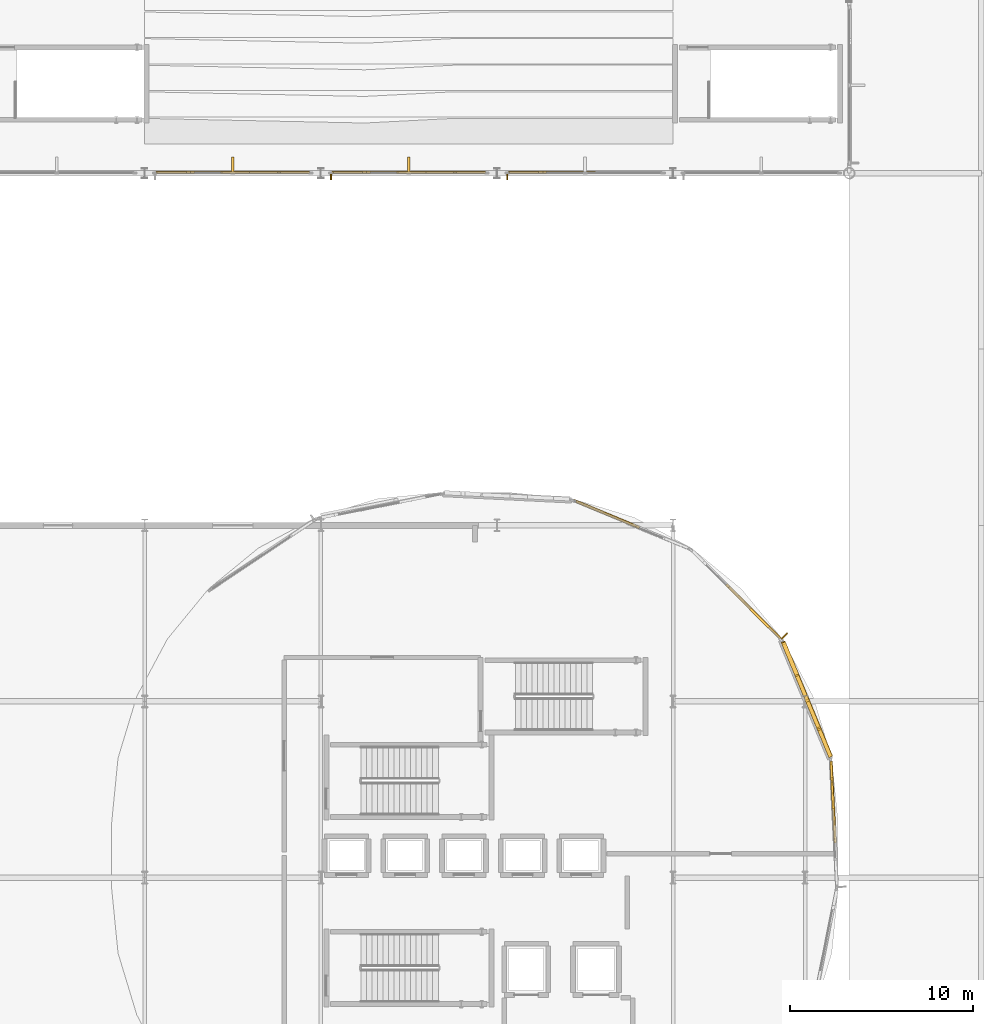
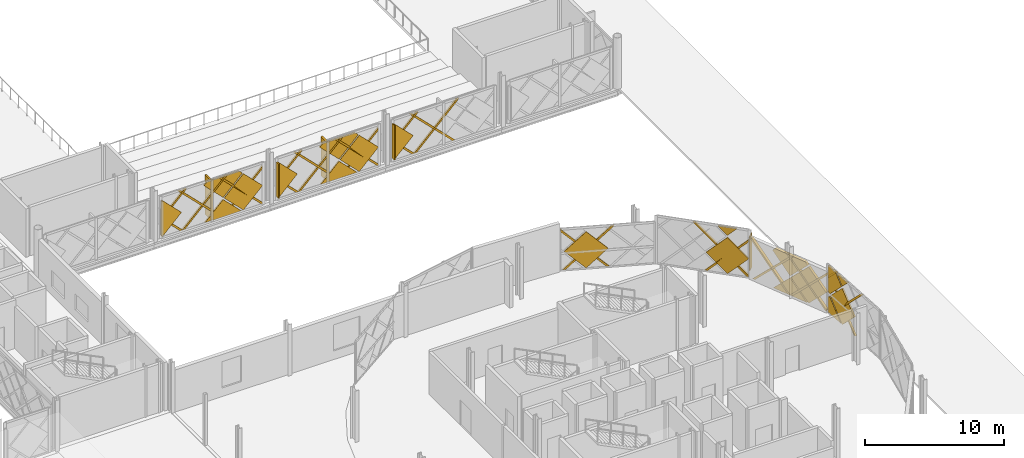
# One storey, part 98 of 101: 48 coverings, 3 shading devices.
"""IFC4 building model written with IfcOpenShell, lengths in metres."""

from ifc_helpers import new_model, si_unit, direction, frame, origin, origin_2d, place, context, subcontext, project, spatial, polyline, rectangle, outline, extrude, material, layer, layer_set, type_object, element, save


model = new_model("IFC4")

# Units and contexts
model_context = context("Model", 3, precision=1e-05, world=origin(), true_north=direction((0.0, 1.0)))
body_context = subcontext(model_context, "Body", "Model", "MODEL_VIEW")
ifc_project = project(units=[si_unit("LENGTHUNIT", "METRE"), si_unit("AREAUNIT", "SQUARE_METRE"), si_unit("VOLUMEUNIT", "CUBIC_METRE"), si_unit("PLANEANGLEUNIT", "RADIAN"), si_unit("MASSUNIT", "GRAM", prefix="KILO")], contexts=[model_context])

# Site, building, storey
site_placement = place(None, origin())
site = spatial("IfcSite", under=ifc_project, at=site_placement, CompositionType="ELEMENT")
building_placement = place(site_placement, origin())
building = spatial("IfcBuilding", under=site, at=building_placement, Name="Zevrakil Square Congress Hotel", CompositionType="ELEMENT")
storey_placement = place(building_placement, frame((0.0, 0.0, 5.39990234375)))
storey = spatial("IfcBuildingStorey", under=building, at=storey_placement, Name="L02", CompositionType="ELEMENT", Elevation=5.39990234375)

# Coverings
ifc_material_1 = material(Name="Architectural White Fibre-C GRC", Category="concrete")
ifc_layer_1 = layer(ifc_material_1, 0.06494140625)
ifc_layer_set_1 = layer_set([ifc_layer_1], Name="Architectural White Fibre-C GRC")
covering_type_1 = type_object("IfcCoveringType", Name="COV-DIA-WHITE", PredefinedType="CLADDING", material=ifc_layer_set_1)
covering_1_placement = place(storey_placement, frame((132.919921875, 64.89404296875, 1.590087890625), z_axis=(0.0, 0.999999790873, 0.000646725815), x_axis=(-0.707106707249, 0.000457304257, -0.707106707249)))
element("IfcCovering", 1, at=covering_1_placement, inside=storey, type_object=covering_type_1, Name="L02 45-degree white GRC diamond facade cassette 1065", PredefinedType="CLADDING", context=body_context, shape_type="SweptSolid", body=[
    extrude(outline(polyline([(0.0, 0.0), (2.1354765131557993, 0.0), (4.465861884739297e-07, -2.1354765131557527), (0.0, 0.0)])), origin(), (0.0, 0.0, -1.0), 0.1201171875),
])
covering_2_placement = place(storey_placement, frame((134.60009765625, 64.89306640625, 3.27001953125), z_axis=(0.0, 0.999999812555, 0.000612282237), x_axis=(-0.707161000838, 0.000432915721, -0.707052424844)))
element("IfcCovering", 2, at=covering_2_placement, inside=storey, type_object=covering_type_1, Name="L02 45-degree white GRC diamond facade cassette 1066", PredefinedType="CLADDING", context=body_context, shape_type="SweptSolid", body=[
    extrude(outline(polyline([(0.0, 0.0), (2.2485514454845923, 0.0), (2.248379222880032, -2.2487240657380214), (0.013983748838055643, -2.248379882955194), (-0.0001711092764935529, -2.234222853853795), (0.0, 0.0)])), origin(), (0.0, 0.0, -1.0), 0.1201171875),
])
covering_3_placement = place(storey_placement, frame((127.8798828125, 64.89501953125, 0.090087890625), z_axis=(4.3911e-08, 0.999999810879, 0.000615014432), x_axis=(0.707106714509, -0.000434911966, 0.707106714116)))
element("IfcCovering", 3, at=covering_3_placement, inside=storey, type_object=covering_type_1, Name="L02 45-degree white GRC diamond facade cassette 1067", PredefinedType="CLADDING", context=body_context, shape_type="SweptSolid", body=[
    extrude(outline(polyline([(0.0, 0.0), (2.2487240723345274, -2.220446049250313e-16), (2.248551862954323, -2.2485514388919943), (2.1639614601190895, -2.2485514548663854), (0.00017263345166069338, -0.0847630362800969), (0.0, 0.0)])), origin(), (0.0, 0.0, -1.0), 0.1201171875),
])
covering_4_placement = place(storey_placement, frame((131.330078125, 64.89306640625, 3.360107421875), z_axis=(0.0, 0.999999832179, 0.000579346068), x_axis=(0.707052455657, 0.000409691004, -0.707160983866)))
element("IfcCovering", 4, at=covering_4_placement, inside=storey, type_object=covering_type_1, Name="L02 45-degree white GRC diamond facade cassette 1068", PredefinedType="CLADDING", context=body_context, shape_type="SweptSolid", body=[
    extrude(outline(polyline([(0.0, 0.0), (2.2485513447832775, -2.220446049250313e-16), (2.248378475325489, -2.2487239649946003), (1.901903001207207, -2.248524784497797), (-2.6675655460328684e-05, -0.346302853878948), (0.0, 0.0)])), origin(), (0.0, 0.0, -1.0), 0.1201171875),
])
covering_5_placement = place(storey_placement, frame((142.52001953125, 64.89404296875, 1.590087890625), z_axis=(0.0, 0.999999790873, 0.000646725815), x_axis=(-0.707106707249, 0.000457304257, -0.707106707249)))
element("IfcCovering", 5, at=covering_5_placement, inside=storey, type_object=covering_type_1, Name="L02 45-degree white GRC diamond facade cassette 1090", PredefinedType="CLADDING", context=body_context, shape_type="SweptSolid", body=[
    extrude(outline(polyline([(0.0, 0.0), (2.1354765131557993, 0.0), (4.465861884739297e-07, -2.1354765131557527), (0.0, 0.0)])), origin(), (0.0, 0.0, -1.0), 0.1201171875),
])
covering_6_placement = place(storey_placement, frame((144.199951171875, 64.89306640625, 3.27001953125), z_axis=(0.0, 0.999999812555, 0.000612281941), x_axis=(-0.707106714489, 0.000432948753, -0.707106715341)))
element("IfcCovering", 6, at=covering_6_placement, inside=storey, type_object=covering_type_1, Name="L02 45-degree white GRC diamond facade cassette 1091", PredefinedType="CLADDING", context=body_context, shape_type="SweptSolid", body=[
    extrude(outline(polyline([(0.0, 0.0), (2.2483788053823686, 2.220446049250313e-16), (2.2485518630143098, -2.2485514388251864), (0.013983735657622232, -2.2485514362281265), (-0.00017220932723183147, -2.23439549391379), (0.0, 0.0)])), origin(), (0.0, 0.0, -1.0), 0.1201171875),
])
covering_7_placement = place(storey_placement, frame((137.47998046875, 64.89501953125, 0.090087890625), z_axis=(4.3898e-08, 0.999999810877, 0.000615017515), x_axis=(0.707106714509, -0.000434914137, 0.707106714115)))
element("IfcCovering", 7, at=covering_7_placement, inside=storey, type_object=covering_type_1, Name="L02 45-degree white GRC diamond facade cassette 1092", PredefinedType="CLADDING", context=body_context, shape_type="SweptSolid", body=[
    extrude(outline(polyline([(0.0, 0.0), (2.2487240723345248, 0.0), (2.2485518629543146, -2.248551438891992), (2.16378882664394, -2.2487240883742428), (-2.3641429092169375e-11, -0.08493566978779551), (0.0, 0.0)])), origin(), (0.0, 0.0, -1.0), 0.1201171875),
])
covering_8_placement = place(storey_placement, frame((140.929931640625, 64.89306640625, 3.360107421875), z_axis=(0.0, 0.999999832181, 0.000579342815), x_axis=(0.707106746172, 0.000409657254, -0.707106697535)))
element("IfcCovering", 8, at=covering_8_placement, inside=storey, type_object=covering_type_1, Name="L02 45-degree white GRC diamond facade cassette 1093", PredefinedType="CLADDING", context=body_context, shape_type="SweptSolid", body=[
    extrude(outline(polyline([(0.0, 0.0), (2.2487239716396576, -2.220446049250313e-16), (2.2487237489345504, -2.248723971639647), (1.9022482605454791, -2.248551391947205), (0.00017254537882177567, -0.3464754884061615), (0.0, 0.0)])), origin(), (0.0, 0.0, -1.0), 0.1201171875),
])
covering_9_placement = place(storey_placement, frame((147.080078125, 64.89501953125, 0.090087890625), z_axis=(4.3905e-08, 0.999999810877, 0.000615017631), x_axis=(0.707052423991, -0.000434947608, 0.707161000444)))
element("IfcCovering", 9, at=covering_9_placement, inside=storey, type_object=covering_type_1, Name="L02 45-degree white GRC diamond facade cassette 1117", PredefinedType="CLADDING", context=body_context, shape_type="SweptSolid", body=[
    extrude(outline(polyline([(0.0, 0.0), (2.2485514454863083, 0.0), (2.2487244898345797, -2.248378798725155), (2.163961467029263, -2.248557955925599), (6.520949064468817e-06, -0.08493566953746919), (0.0, 0.0)])), origin(), (0.0, 0.0, -1.0), 0.1201171875),
])
covering_10_placement = place(storey_placement, frame((164.673583984375, 32.5615234375, 1.590087890625), z_axis=(0.998800095119, 0.048968005369, 0.000710239774), x_axis=(-0.034122335196, 0.706249529221, -0.707140204426)))
element("IfcCovering", 10, at=covering_10_placement, inside=storey, type_object=covering_type_1, Name="L02 45-degree white GRC diamond facade cassette 2008", PredefinedType="CLADDING", context=body_context, shape_type="SweptSolid", body=[
    extrude(outline(polyline([(0.0, 0.0), (0.28448673390348933, 0.0), (1.2101660596970794, -0.9252972339474256), (0.00015848221026493192, -2.135420005266335), (0.0, 0.0)])), origin(), (0.0, 0.0, -1.0), 0.1201171875),
])
covering_11_placement = place(storey_placement, frame((164.75537109375, 30.883544921875, 3.27001953125), z_axis=(0.99878830523, 0.049210092518, 0.000536776824), x_axis=(-0.034419634226, 0.706307668295, -0.707067724117)))
element("IfcCovering", 11, at=covering_11_placement, inside=storey, type_object=covering_type_1, Name="L02 45-degree white GRC diamond facade cassette 2009", PredefinedType="CLADDING", context=body_context, shape_type="SweptSolid", body=[
    extrude(outline(polyline([(0.0, 0.0), (2.248502789491191, 0.0), (2.24836820536573, -2.2487348827231917), (-0.00030720808154449664, -2.2485622397465383), (0.0, 0.0)])), origin(), (0.0, 0.0, -1.0), 0.1201171875),
])
covering_12_placement = place(storey_placement, frame((164.673583984375, 32.5615234375, 1.77001953125), z_axis=(0.998794408136, 0.049085468341, 0.000589130142), x_axis=(0.034291704455, -0.706256907945, 0.707124641761)))
element("IfcCovering", 12, at=covering_12_placement, inside=storey, type_object=covering_type_1, Name="L02 45-degree white GRC diamond facade cassette 2011", PredefinedType="CLADDING", context=body_context, shape_type="SweptSolid", body=[
    extrude(outline(polyline([(0.0, 0.0), (2.248667030414798, 0.0), (2.248686328149325, -1.1314496213816005), (1.5478328586904833, -1.832338683445174), (0.00017637556919647412, -0.2846761841491108), (0.0, 0.0)])), origin(), (0.0, 0.0, -1.0), 0.1201171875),
])
covering_13_placement = place(storey_placement, frame((164.755126953125, 30.883544921875, 3.4501953125), z_axis=(0.99879850131, 0.049002852965, 0.000523624202), x_axis=(0.034282963929, -0.706326313581, 0.707055738345)))
element("IfcCovering", 13, at=covering_13_placement, inside=storey, type_object=covering_type_1, Name="L02 45-degree white GRC diamond facade cassette 2012", PredefinedType="CLADDING", context=body_context, shape_type="SweptSolid", body=[
    extrude(outline(polyline([(0.0, 0.0), (1.004108868646373, -1.1102230246251565e-16), (2.374429571738723e-06, -1.003961821325116), (0.0, 0.0)])), origin(), (0.0, 0.0, -1.0), 0.1201171875),
])
covering_14_placement = place(storey_placement, frame((163.435302734375, 36.026611328125, 1.590087890625), z_axis=(0.923868790517, 0.382708685186, 0.00072124374), x_axis=(-0.270148633985, 0.65347845614, -0.70709661498)))
element("IfcCovering", 14, at=covering_14_placement, inside=storey, type_object=covering_type_1, Name="L02 45-degree white GRC diamond facade cassette 2018", PredefinedType="CLADDING", context=body_context, shape_type="SweptSolid", body=[
    extrude(outline(polyline([(0.0, 0.0), (2.1355069924456442, 0.0), (4.912377958765646e-05, -2.1353975770230837), (0.0, 0.0)])), origin(), (0.0, 0.0, -1.0), 0.2099609375),
])
covering_15_placement = place(storey_placement, frame((164.077392578125, 34.47412109375, 3.27001953125), z_axis=(0.923876819174, 0.382689493324, 0.000612121189), x_axis=(-0.270230145283, 0.653511952212, -0.707034508986)))
element("IfcCovering", 15, at=covering_15_placement, inside=storey, type_object=covering_type_1, Name="L02 45-degree white GRC diamond facade cassette 2019", PredefinedType="CLADDING", context=body_context, shape_type="SweptSolid", body=[
    extrude(outline(polyline([(0.0, 0.0), (2.2486083970915756, -2.220446049250313e-16), (2.2484977823067998, -2.2486055314959126), (0.013912460622451439, -2.2483945343068865), (-0.00024203882501305785, -2.2342371465996984), (0.0, 0.0)])), origin(), (0.0, 0.0, -1.0), 0.2099609375),
])
covering_16_placement = place(storey_placement, frame((162.825927734375, 37.495361328125, 3.360107421875), z_axis=(0.923894444655, 0.382647056303, 0.000534265177), x_axis=(0.270926288318, -0.653159387828, -0.707093883717)))
element("IfcCovering", 16, at=covering_16_placement, inside=storey, type_object=covering_type_1, Name="L02 45-degree white GRC diamond facade cassette 2020", PredefinedType="CLADDING", context=body_context, shape_type="SweptSolid", body=[
    extrude(outline(polyline([(0.0, 0.0), (2.248764979850003, 2.220446049250313e-16), (2.2486368882071024, -2.2485555186248187), (1.9162904575674888, -2.24870712369369), (1.9853331981095623e-05, -0.33250599668061953), (0.0, 0.0)])), origin(), (0.0, 0.0, -1.0), 0.2099609375),
])
covering_17_placement = place(storey_placement, frame((160.76171875, 40.583984375, 3.27001953125), z_axis=(0.707087302992, 0.707125935343, 0.000676396234), x_axis=(-0.499692827121, 0.500341881738, -0.707082088518)))
element("IfcCovering", 17, at=covering_17_placement, inside=storey, type_object=covering_type_1, Name="L02 45-degree white GRC diamond facade cassette 2026", PredefinedType="CLADDING", context=body_context, shape_type="SweptSolid", body=[
    extrude(outline(polyline([(0.0, 0.0), (2.248457114718625, -2.220446049250313e-16), (2.248473656559645, -2.248629747213278), (0.013879968909014329, -2.2485776444559216), (-0.00015348773925594195, -2.234299058330153), (0.0, 0.0)])), origin(), (0.0, 0.0, -1.0), 0.1201171875),
])
covering_18_placement = place(storey_placement, frame((160.76171875, 40.583984375, 3.4501953125), z_axis=(0.707192615728, 0.707020674902, 0.000607882953), x_axis=(0.499663599549, -0.500393035461, 0.70706654379)))
element("IfcCovering", 18, at=covering_18_placement, inside=storey, type_object=covering_type_1, Name="L02 45-degree white GRC diamond facade cassette 2028", PredefinedType="CLADDING", context=body_context, shape_type="SweptSolid", body=[
    extrude(outline(polyline([(0.0, 0.0), (1.0040935237780149, 0.0), (8.25126885850569e-06, -1.003971379727339), (0.0, 0.0)])), origin(), (0.0, 0.0, -1.0), 0.1201171875),
])
covering_19_placement = place(storey_placement, frame((152.3095703125, 46.298583984375, 3.27001953125), z_axis=(0.382641033156, 0.923896908707, 0.000584660381), x_axis=(-0.653197678465, 0.270975701089, -0.707039576167)))
element("IfcCovering", 19, at=covering_19_placement, inside=storey, type_object=covering_type_1, Name="L02 45-degree white GRC diamond facade cassette 2036", PredefinedType="CLADDING", context=body_context, shape_type="SweptSolid", body=[
    extrude(outline(polyline([(0.0, 0.0), (2.248592359269286, 0.0), (2.2483221963995255, -2.248781002519946), (-0.00021715168729286027, -2.248382876469959), (0.0, 0.0)])), origin(), (0.0, 0.0, -1.0), 0.1201171875),
])
ifc_material_2 = material(Name="Anodised Champagne Aluminium", Category="aluminium")
ifc_layer_2 = layer(ifc_material_2, 0.0849609375)
ifc_layer_set_2 = layer_set([ifc_layer_2], Name="Anodised Champagne Aluminium")
covering_type_2 = type_object("IfcCoveringType", Name="COV-DIAGRID-45", PredefinedType="MOLDING", material=ifc_layer_set_2)
covering_20_placement = place(storey_placement, frame((136.093994140625, 64.919921875, 0.080078125), z_axis=(-0.000187420889, 0.999999884475, 0.000442632313), x_axis=(0.999999982437, 0.000187420871, 8.2959e-08)))
element("IfcCovering", 20, at=covering_20_placement, inside=storey, type_object=covering_type_2, Name="L02 45-degree aluminium diagrid rib 1069", PredefinedType="MOLDING", context=body_context, shape_type="SweptSolid", body=[
    extrude(outline(polyline([(0.0, 0.0), (0.08593749849065434, 0.0), (0.08593750896174, -0.12622069076020653), (-3.3129883424556827, -3.5249029710253903), (-3.5251465418544856, -3.5249029710253903), (0.0, 0.0)])), origin(), (0.0, 0.0, -1.0), 0.14501953125),
])
covering_21_placement = place(storey_placement, frame((132.73388671875, 64.919921875, 0.080078125), z_axis=(0.0, 0.999999805714, 0.000623354914), x_axis=(1.0, 0.0, 0.0)))
element("IfcCovering", 21, at=covering_21_placement, inside=storey, type_object=covering_type_2, Name="L02 45-degree aluminium diagrid rib 1070", PredefinedType="MOLDING", context=body_context, shape_type="SweptSolid", body=[
    extrude(outline(polyline([(0.0, 0.0), (0.212158203125, 0.0), (-3.312744140625, -3.5249030285882292), (-3.52490234375, -3.5249030285882292), (0.0, 0.0)])), origin(), (0.0, 0.0, -1.0), 0.14501953125),
])
covering_22_placement = place(storey_placement, frame((129.373779296875, 64.919921875, 0.080078125), z_axis=(-0.000293980909, 0.999999913476, 0.000294319207), x_axis=(0.999999956788, 0.000293980897, 8.6524e-08)))
element("IfcCovering", 22, at=covering_22_placement, inside=storey, type_object=covering_type_2, Name="L02 45-degree aluminium diagrid rib 1071", PredefinedType="MOLDING", context=body_context, shape_type="SweptSolid", body=[
    extrude(outline(polyline([(0.0, 0.0), (0.21240233457158741, 0.0), (-1.5537110046395635, -1.7661134921773871), (-1.553711022996389, -1.5539552982413625), (0.0, 0.0)])), origin(), (0.0, 0.0, -1.0), 0.14501953125),
])
covering_23_placement = place(storey_placement, frame((136.179931640625, 64.918212890625, 3.154052734375), z_axis=(-0.000287317256, 0.999999586254, 0.000863099624), x_axis=(-8.2646e-08, -0.000863099684, 0.999999627529)))
element("IfcCovering", 23, at=covering_23_placement, inside=storey, type_object=covering_type_2, Name="L02 45-degree aluminium diagrid rib 1072", PredefinedType="MOLDING", context=body_context, shape_type="SweptSolid", body=[
    extrude(outline(polyline([(0.0, 0.0), (0.212158334820002, 0.0), (-3.0739746678474664, -3.286133202189314), (-3.0739746854017027, -3.07373086720635), (0.0, 0.0)])), origin(), (0.0, 0.0, -1.0), 0.14501953125),
])
covering_24_placement = place(storey_placement, frame((133.27099609375, 64.917724609375, 3.60498046875), z_axis=(0.0, 0.999999805714, 0.000623354914), x_axis=(-1.0, 0.0, 0.0)))
element("IfcCovering", 24, at=covering_24_placement, inside=storey, type_object=covering_type_2, Name="L02 45-degree aluminium diagrid rib 1073", PredefinedType="MOLDING", context=body_context, shape_type="SweptSolid", body=[
    extrude(outline(polyline([(0.0, 0.0), (0.212158203125, 0.0), (3.737060546875, -3.5249030285882292), (3.52490234375, -3.5249030285882292), (0.0, 0.0)])), origin(), (0.0, 0.0, -1.0), 0.14501953125),
])
covering_25_placement = place(storey_placement, frame((129.9111328125, 64.917724609375, 3.60498046875), z_axis=(-0.000236587851, 0.999999555129, 0.000913108865), x_axis=(-0.999999972013, -0.000236587752, -2.1603e-07)))
element("IfcCovering", 25, at=covering_25_placement, inside=storey, type_object=covering_type_2, Name="L02 45-degree aluminium diagrid rib 1074", PredefinedType="MOLDING", context=body_context, shape_type="SweptSolid", body=[
    extrude(outline(polyline([(0.0, 0.0), (0.21215819718734832, -5.6157808774107894e-24), (2.091064511647426, -1.878662440825683), (2.091064499772122, -2.0910649189555177), (0.0, 0.0)])), origin(), (0.0, 0.0, -1.0), 0.14501953125),
])
covering_26_placement = place(storey_placement, frame((145.69384765625, 64.919921875, 0.080078125), z_axis=(-0.000187311957, 0.999999884449, 0.000442737353), x_axis=(0.999999982457, 0.000187311939, 8.293e-08)))
element("IfcCovering", 26, at=covering_26_placement, inside=storey, type_object=covering_type_2, Name="L02 45-degree aluminium diagrid rib 1094", PredefinedType="MOLDING", context=body_context, shape_type="SweptSolid", body=[
    extrude(outline(polyline([(0.0, 0.0), (0.0861816391131254, 2.2812090330563966e-24), (0.08618164958060848, -0.12622069075433734), (-3.312744201763839, -3.524902971092284), (-3.5249024011669716, -3.524902971092284), (0.0, 0.0)])), origin(), (0.0, 0.0, -1.0), 0.14501953125),
])
covering_27_placement = place(storey_placement, frame((142.333984375, 64.919921875, 0.080078125), z_axis=(0.0, 0.999999805714, 0.000623354914), x_axis=(1.0, 0.0, 0.0)))
element("IfcCovering", 27, at=covering_27_placement, inside=storey, type_object=covering_type_2, Name="L02 45-degree aluminium diagrid rib 1095", PredefinedType="MOLDING", context=body_context, shape_type="SweptSolid", body=[
    extrude(outline(polyline([(0.0, 0.0), (0.212158203125, 0.0), (-3.31298828125, -3.5249030285882292), (-3.525146484375, -3.5249030285882292), (0.0, 0.0)])), origin(), (0.0, 0.0, -1.0), 0.14501953125),
])
covering_28_placement = place(storey_placement, frame((138.973876953125, 64.919921875, 0.080078125), z_axis=(-0.000294139249, 0.999999913482, 0.000294139249), x_axis=(0.999999956741, 0.000294139237, 8.6518e-08)))
element("IfcCovering", 28, at=covering_28_placement, inside=storey, type_object=covering_type_2, Name="L02 45-degree aluminium diagrid rib 1096", PredefinedType="MOLDING", context=body_context, shape_type="SweptSolid", body=[
    extrude(outline(polyline([(0.0, 0.0), (0.2121581939472589, 0.0), (-1.553955145347468, -1.7661134920951609), (-1.5539551637029505, -1.5539552981479028), (0.0, 0.0)])), origin(), (0.0, 0.0, -1.0), 0.14501953125),
])
covering_29_placement = place(storey_placement, frame((145.780029296875, 64.918212890625, 3.154052734375), z_axis=(-0.000287477056, 0.99999958606, 0.000863270454), x_axis=(-8.2643e-08, -0.000863270513, 0.999999627382)))
element("IfcCovering", 29, at=covering_29_placement, inside=storey, type_object=covering_type_2, Name="L02 45-degree aluminium diagrid rib 1097", PredefinedType="MOLDING", context=body_context, shape_type="SweptSolid", body=[
    extrude(outline(polyline([(0.0, 0.0), (0.21215833483042407, 1.3234889800848443e-23), (-3.0739746676964605, -3.286133202330571), (-3.073974685229852, -3.0739750079722734), (0.0, 0.0)])), origin(), (0.0, 0.0, -1.0), 0.14501953125),
])
covering_30_placement = place(storey_placement, frame((142.87109375, 64.917724609375, 3.60498046875), z_axis=(0.0, 0.999999805714, 0.000623354914), x_axis=(-1.0, 0.0, 0.0)))
element("IfcCovering", 30, at=covering_30_placement, inside=storey, type_object=covering_type_2, Name="L02 45-degree aluminium diagrid rib 1098", PredefinedType="MOLDING", context=body_context, shape_type="SweptSolid", body=[
    extrude(outline(polyline([(0.0, 0.0), (0.212158203125, 0.0), (3.7373046875, -3.524903028588229), (3.52490234375, -3.524903028588229), (0.0, 0.0)])), origin(), (0.0, 0.0, -1.0), 0.14501953125),
])
covering_31_placement = place(storey_placement, frame((139.510986328125, 64.917724609375, 3.60498046875), z_axis=(-0.000236587851, 0.999999555129, 0.000913108865), x_axis=(-0.999999972013, -0.000236587752, -2.1603e-07)))
element("IfcCovering", 31, at=covering_31_placement, inside=storey, type_object=covering_type_2, Name="L02 45-degree aluminium diagrid rib 1099", PredefinedType="MOLDING", context=body_context, shape_type="SweptSolid", body=[
    extrude(outline(polyline([(0.0, 0.0), (0.21215819718734832, -5.6157808774107894e-24), (2.091064511647426, -1.878662440825683), (2.091064499772122, -2.0910649189555177), (0.0, 0.0)])), origin(), (0.0, 0.0, -1.0), 0.14501953125),
])
covering_32_placement = place(storey_placement, frame((151.933837890625, 64.919921875, 0.080078125), z_axis=(0.0, 0.999999805714, 0.000623354914), x_axis=(1.0, 0.0, 0.0)))
element("IfcCovering", 32, at=covering_32_placement, inside=storey, type_object=covering_type_2, Name="L02 45-degree aluminium diagrid rib 1120", PredefinedType="MOLDING", context=body_context, shape_type="SweptSolid", body=[
    extrude(outline(polyline([(0.0, 0.0), (0.212158203125, 0.0), (-3.312744140625, -3.5249030285882292), (-3.52490234375, -3.5249030285882292), (0.0, 0.0)])), origin(), (0.0, 0.0, -1.0), 0.14501953125),
])
covering_33_placement = place(storey_placement, frame((148.573974609375, 64.919921875, 0.080078125), z_axis=(-0.000294139249, 0.999999913482, 0.000294139249), x_axis=(0.999999956741, 0.000294139237, 8.6518e-08)))
element("IfcCovering", 33, at=covering_33_placement, inside=storey, type_object=covering_type_2, Name="L02 45-degree aluminium diagrid rib 1121", PredefinedType="MOLDING", context=body_context, shape_type="SweptSolid", body=[
    extrude(outline(polyline([(0.0, 0.0), (0.2121581939472589, 0.0), (-1.553955145347468, -1.7661134920951609), (-1.5539551637029505, -1.5539552981479028), (0.0, 0.0)])), origin(), (0.0, 0.0, -1.0), 0.14501953125),
])
covering_34_placement = place(storey_placement, frame((152.47119140625, 64.917724609375, 3.60498046875), z_axis=(0.0, 0.999999805714, 0.000623354914), x_axis=(-1.0, 0.0, 0.0)))
element("IfcCovering", 34, at=covering_34_placement, inside=storey, type_object=covering_type_2, Name="L02 45-degree aluminium diagrid rib 1123", PredefinedType="MOLDING", context=body_context, shape_type="SweptSolid", body=[
    extrude(outline(polyline([(0.0, 0.0), (0.21240234375, 0.0), (3.7373046875, -3.524903028588229), (3.525146484375, -3.524903028588229), (0.0, 0.0)])), origin(), (0.0, 0.0, -1.0), 0.14501953125),
])
covering_35_placement = place(storey_placement, frame((149.111083984375, 64.917724609375, 3.60498046875), z_axis=(-0.000236587851, 0.999999555129, 0.000913108865), x_axis=(-0.999999972013, -0.000236587752, -2.1603e-07)))
element("IfcCovering", 35, at=covering_35_placement, inside=storey, type_object=covering_type_2, Name="L02 45-degree aluminium diagrid rib 1124", PredefinedType="MOLDING", context=body_context, shape_type="SweptSolid", body=[
    extrude(outline(polyline([(0.0, 0.0), (0.21215819718734832, -5.6157808774107894e-24), (2.091064511647426, -1.878662440825683), (2.091064499772122, -2.0910649189555177), (0.0, 0.0)])), origin(), (0.0, 0.0, -1.0), 0.14501953125),
])
covering_36_placement = place(storey_placement, frame((164.855712890625, 29.392578125, 0.080078125), z_axis=(0.998822491709, 0.048497831667, 0.001261102296), x_axis=(0.048497870054, -0.998823285972, 1.41036e-07)))
element("IfcCovering", 36, at=covering_36_placement, inside=storey, type_object=covering_type_2, Name="L02 45-degree aluminium diagrid rib 2014", PredefinedType="MOLDING", context=body_context, shape_type="SweptSolid", body=[
    extrude(outline(polyline([(0.0, 0.0), (0.2119181395215144, -3.3881317890172014e-21), (-3.375284397651546, -3.587405672456701), (-3.375272587273285, -3.375247330512067), (0.0, 0.0)])), origin(), (0.0, 0.0, -1.0), 0.14501953125),
])
covering_37_placement = place(storey_placement, frame((164.90673828125, 28.3017578125, 4.16015625), z_axis=(0.998803396921, 0.048904544204, 0.000346200051), x_axis=(-0.048904547066, 0.99880345678, -1.98953e-07)))
element("IfcCovering", 37, at=covering_37_placement, inside=storey, type_object=covering_type_2, Name="L02 45-degree aluminium diagrid rib 2016", PredefinedType="MOLDING", context=body_context, shape_type="SweptSolid", body=[
    extrude(outline(polyline([(0.0, 0.0), (0.21216196080616503, 8.470329472543003e-22), (4.292176882117259, -4.080077515568004), (4.080002981724407, -4.080077599990743), (0.0, 0.0)])), origin(), (0.0, 0.0, -1.0), 0.14501953125),
])
covering_38_placement = place(storey_placement, frame((164.74169921875, 31.65771484375, 4.16015625), z_axis=(0.998769768889, 0.049576648785, 0.001051022654), x_axis=(-0.049576676059, 0.99877032054, -1.03318e-07)))
element("IfcCovering", 38, at=covering_38_placement, inside=storey, type_object=covering_type_2, Name="L02 45-degree aluminium diagrid rib 2017", PredefinedType="MOLDING", context=body_context, shape_type="SweptSolid", body=[
    extrude(outline(polyline([(0.0, 0.0), (0.21217393439916438, 1.6940658945086007e-21), (1.1072720645314706, -0.8952640519500998), (1.1072599827705545, -1.107422394177979), (0.0, 0.0)])), origin(), (0.0, 0.0, -1.0), 0.14501953125),
])
covering_39_placement = place(storey_placement, frame((164.673828125, 33.104248046875, 0.080078125), z_axis=(0.923772933765, 0.38294055131, 0.000317813416), x_axis=(0.382940570717, -0.92377298039, -2.2908e-07)))
element("IfcCovering", 39, at=covering_39_placement, inside=storey, type_object=covering_type_2, Name="L02 45-degree aluminium diagrid rib 2021", PredefinedType="MOLDING", context=body_context, shape_type="SweptSolid", body=[
    extrude(outline(polyline([(0.0, 0.0), (0.08591874894374782, 0.0), (0.08591872002904716, -0.12622069675051226), (-3.3029827442440847, -3.5151361366497498), (-3.5148973437926534, -3.515136055073054), (0.0, 0.0)])), origin(), (0.0, 0.0, -1.0), 0.235107421875),
])
covering_40_placement = place(storey_placement, frame((163.38818359375, 36.20849609375, 0.080078125), z_axis=(0.9238413147, 0.382775346043, 0.000509623223), x_axis=(0.382775395674, -0.923841434699, 1.58823e-07)))
element("IfcCovering", 40, at=covering_40_placement, inside=storey, type_object=covering_type_2, Name="L02 45-degree aluminium diagrid rib 2022", PredefinedType="MOLDING", context=body_context, shape_type="SweptSolid", body=[
    extrude(outline(polyline([(0.0, 0.0), (0.21191461474421733, 0.0), (-3.3029811298423435, -3.51513765239614), (-3.3598843754651293, -3.5151377670684054), (-3.3597909491405606, -3.359620094179651), (0.0, 0.0)])), origin(), (0.0, 0.0, -1.0), 0.235107421875),
])
covering_41_placement = place(storey_placement, frame((164.705078125, 33.024169921875, 3.154052734375), z_axis=(0.92383022594, 0.382801764154, 0.000723188016), x_axis=(-0.000261147849, -0.001258957474, 0.999999173414)))
element("IfcCovering", 41, at=covering_41_placement, inside=storey, type_object=covering_type_2, Name="L02 45-degree aluminium diagrid rib 2023", PredefinedType="MOLDING", context=body_context, shape_type="SweptSolid", body=[
    extrude(outline(polyline([(0.0, 0.0), (0.2121583351205788, 0.0), (-3.0774670803176924, -3.2827986087218206), (-3.0772414991120813, -3.0705651138067735), (0.0, 0.0)])), origin(), (0.0, 0.0, -1.0), 0.235107421875),
])
covering_42_placement = place(storey_placement, frame((163.587890625, 35.720703125, 3.59521484375), z_axis=(0.923925579589, 0.382571924301, 0.000496102008), x_axis=(-0.3825719715, 0.923925693236, 2.63636e-07)))
element("IfcCovering", 42, at=covering_42_placement, inside=storey, type_object=covering_type_2, Name="L02 45-degree aluminium diagrid rib 2024", PredefinedType="MOLDING", context=body_context, shape_type="SweptSolid", body=[
    extrude(outline(polyline([(0.0, 0.0), (0.2122335933052744, 0.0), (3.727213077658051, -3.515138133943848), (3.515072885713006, -3.515138022063835), (0.0, 0.0)])), origin(), (0.0, 0.0, -1.0), 0.235107421875),
])
covering_43_placement = place(storey_placement, frame((161.83740234375, 39.546630859375, 0.080078125), z_axis=(0.706690590639, 0.707522726246, 3.0783806e-05), x_axis=(0.707522726581, -0.706690590974, 1.8113e-08)))
element("IfcCovering", 43, at=covering_43_placement, inside=storey, type_object=covering_type_2, Name="L02 45-degree aluminium diagrid rib 2029", PredefinedType="MOLDING", context=body_context, shape_type="SweptSolid", body=[
    extrude(outline(polyline([(0.0, 0.0), (0.08597146388457796, 2.117582368135751e-22), (0.08597146617087202, -0.12622070306519392), (-3.86802668916195, -4.0800781974672065), (-4.080193315066599, -4.0800782027815234), (0.0, 0.0)])), origin(), (0.0, 0.0, -1.0), 0.14501953125),
])
covering_44_placement = place(storey_placement, frame((161.896728515625, 39.484619140625, 3.154052734375), z_axis=(0.706741850983, 0.707470648504, 0.001112463546), x_axis=(-0.00021085144, -0.001361816147, 0.999999050499)))
element("IfcCovering", 44, at=covering_44_placement, inside=storey, type_object=covering_type_2, Name="L02 45-degree aluminium diagrid rib 2031", PredefinedType="MOLDING", context=body_context, shape_type="SweptSolid", body=[
    extrude(outline(polyline([(0.0, 0.0), (0.21215833415517152, 2.710505431213761e-20), (-3.0766478611536265, -3.283403455523068), (-3.0764753803238647, -3.0712369037862253), (0.0, 0.0)])), origin(), (0.0, 0.0, -1.0), 0.14501953125),
])
covering_45_placement = place(storey_placement, frame((153.7001953125, 45.751708984375, 0.080078125), z_axis=(0.382508387503, 0.923951930921, 0.0004035305), x_axis=(0.923952006149, -0.382508418643, -9.152e-09)))
element("IfcCovering", 45, at=covering_45_placement, inside=storey, type_object=covering_type_2, Name="L02 45-degree aluminium diagrid rib 2040", PredefinedType="MOLDING", context=body_context, shape_type="SweptSolid", body=[
    extrude(outline(polyline([(0.0, 0.0), (0.2119146249807563, 3.3881317890172014e-21), (-3.312906357399736, -3.524902614042553), (-3.359969121089714, -3.524902585440574), (-3.359969119577075, -3.359619395772674), (0.0, 0.0)])), origin(), (0.0, 0.0, -1.0), 0.14501953125),
])
covering_46_placement = place(storey_placement, frame((154.195556640625, 45.544189453125, 3.60498046875), z_axis=(0.382571868993, 0.923925446018, 0.000731611765), x_axis=(-0.923925693178, 0.382571971642, -3.88789e-07)))
element("IfcCovering", 46, at=covering_46_placement, inside=storey, type_object=covering_type_2, Name="L02 45-degree aluminium diagrid rib 2042", PredefinedType="MOLDING", context=body_context, shape_type="SweptSolid", body=[
    extrude(outline(polyline([(0.0, 0.0), (0.21223359330528305, 1.3552527156068805e-20), (3.7371968200246055, -3.5249018341328497), (3.5250566280795868, -3.52490199912459), (0.0, 0.0)])), origin(), (0.0, 0.0, -1.0), 0.14501953125),
])
ifc_material_3 = material(Name="Architectural White Fibre-C GRC", Category="concrete")
ifc_layer_3 = layer(ifc_material_3, 0.139892578125)
ifc_layer_set_3 = layer_set([ifc_layer_3], Name="Architectural White Fibre-C GRC")
covering_type_3 = type_object("IfcCoveringType", Name="COV-FIN-GRC90", PredefinedType="MOLDING", material=ifc_layer_set_3)
for number, where, z_axis, x_axis, name in (
    (47, (132.0, 65.219970703125, 0.1201171875), (0.0, 0.0, 1.0), (0.0, 1.0, 0.0), "L02 highland sun-breaker GRC fin 1075"),
    (48, (141.60009765625, 65.219970703125, 0.1201171875), (0.0, 0.0, 1.0), (0.0, 1.0, 0.0), "L02 highland sun-breaker GRC fin 1100"),
):
    element("IfcCovering", number, at=place(storey_placement, frame(where, z_axis=z_axis, x_axis=x_axis)), inside=storey, type_object=covering_type_3, Name=name, PredefinedType="MOLDING", context=body_context, shape_type="SweptSolid", body=[
        extrude(rectangle(XDim=0.89990234375, YDim=0.139892578125, at=origin_2d()), origin(), (0.0, 0.0, 1.0), 3.445068359375),
    ])

# Shading devices
ifc_material_4 = material(Name="Aluminium Anodised Bronze", Category="aluminium")
shading_device_type_1 = type_object("IfcShadingDeviceType", Name="SHD-FIN-35", PredefinedType="JALOUSIE", material=ifc_material_4)
for number, where, z_axis, x_axis, name in (
    (49, (137.360107421875, 64.60498046875, 0.342529296875), (0.0, 0.0, 1.0), (0.0, -1.0, 0.0), "L02 aluminium solar shading fin 62"),
    (50, (146.9599609375, 64.60498046875, 0.342529296875), (0.0, 0.0, 1.0), (0.0, -1.0, 0.0), "L02 aluminium solar shading fin 64"),
):
    element("IfcShadingDevice", number, at=place(storey_placement, frame(where, z_axis=z_axis, x_axis=x_axis)), inside=storey, type_object=shading_device_type_1, Name=name, PredefinedType="JALOUSIE", context=body_context, shape_type="SweptSolid", body=[
        extrude(rectangle(XDim=0.35009765625, YDim=0.080078125, at=origin_2d()), origin(), (0.0, 0.0, 1.0), 3.0),
    ])
ifc_material_5 = material(Name="Aluminium Anodised Bronze", Category="aluminium")
shading_device_type_2 = type_object("IfcShadingDeviceType", Name="SHD-FIN-50", PredefinedType="JALOUSIE", material=ifc_material_5)
shading_device_placement = place(storey_placement, frame((162.046630859375, 39.549560546875, 0.6201171875), z_axis=(0.0, 0.0, 1.0), x_axis=(0.707106781187, 0.707106781187, 0.0)))
element("IfcShadingDevice", 51, at=shading_device_placement, inside=storey, type_object=shading_device_type_2, Name="L02 aluminium solar shading fin 114", PredefinedType="JALOUSIE", context=body_context, shape_type="SweptSolid", body=[
    extrude(rectangle(XDim=0.5, YDim=0.080078125, at=origin_2d()), origin(), (0.0, 0.0, 1.0), 3.0),
])

save(model, "model.ifc")
